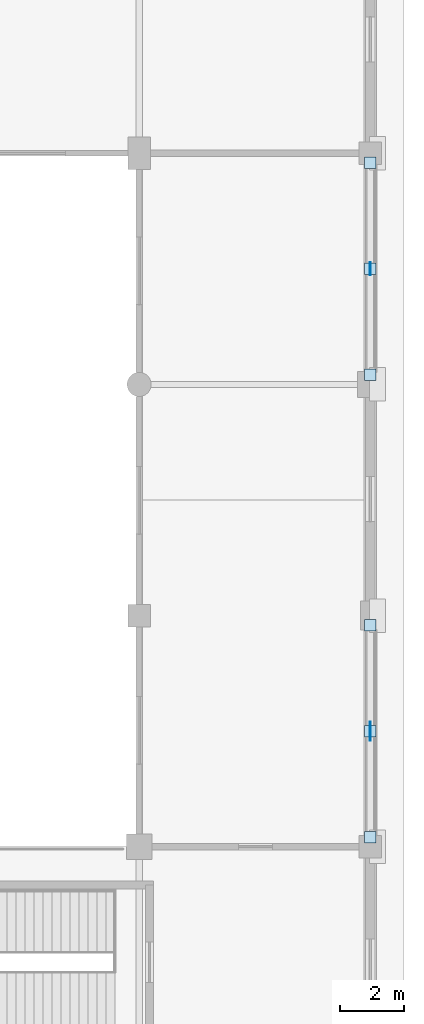
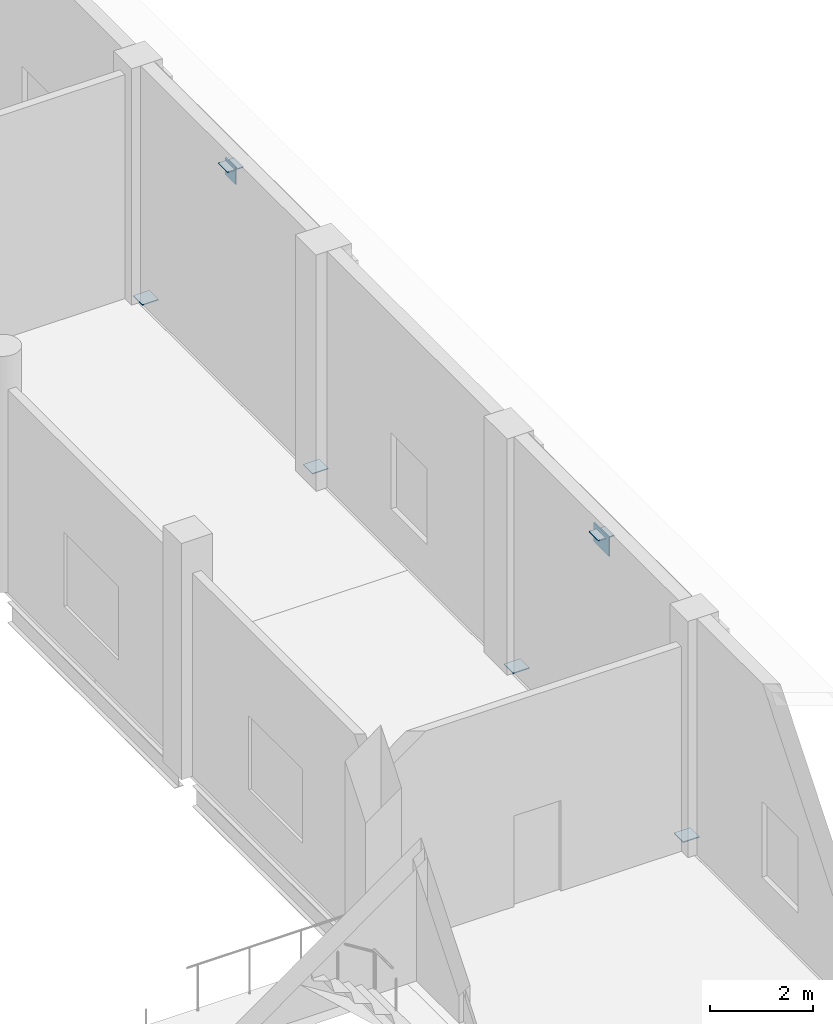
# One storey, part 49 of 80: 8 plates.
"""IFC4 building model written with IfcOpenShell, lengths in metres."""

from ifc_helpers import new_model, si_unit, direction, frame, origin, origin_2d, place, context, subcontext, project, spatial, rectangle, extrude, material, layer, layer_set, type_object, element, save


model = new_model("IFC4")

# Units and contexts
model_context = context("Model", 3, precision=1e-05, world=origin(), true_north=direction((0.0, 1.0)))
body_context = subcontext(model_context, "Body", "Model", "MODEL_VIEW")
ifc_project = project(units=[si_unit("LENGTHUNIT", "METRE"), si_unit("AREAUNIT", "SQUARE_METRE"), si_unit("VOLUMEUNIT", "CUBIC_METRE"), si_unit("PLANEANGLEUNIT", "RADIAN"), si_unit("MASSUNIT", "GRAM", prefix="KILO")], contexts=[model_context])

# Site, building, storey
site_placement = place(None, origin())
site = spatial("IfcSite", under=ifc_project, at=site_placement, CompositionType="ELEMENT")
building_placement = place(site_placement, origin())
building = spatial("IfcBuilding", under=site, at=building_placement, Name="Sardonyx Promenade Sports Hall", CompositionType="ELEMENT")
storey_placement = place(building_placement, frame((0.0, 0.0, 5.60009765625)))
storey = spatial("IfcBuildingStorey", under=building, at=storey_placement, Name="L01", CompositionType="ELEMENT", Elevation=5.60009765625)

# Plates
ifc_material_1 = material(Name="Steel S355JR", Category="steel")
ifc_layer_1 = layer(ifc_material_1, 0.02001953125)
ifc_layer_set_1 = layer_set([ifc_layer_1], Name="Plt_EndCap_EC1")
plate_type_1 = type_object("IfcPlateType", Name="Plt_EndCap_EC1", PredefinedType="USERDEFINED", material=ifc_layer_set_1)
for number, where, z_axis, x_axis, name in (
    (1, (165.60009765625, 57.89990234375, 0.010009765625), (0.0, 0.0, 1.0), (1.0, 0.0, 0.0), "Brace foot end-cap plate EC1 BF3 L01 L1"),
    (2, (165.60009765625, 64.5, 0.010009765625), (0.0, 0.0, 1.0), (1.0, 0.0, 0.0), "Brace foot end-cap plate EC1 BF3 L01 L2"),
    (3, (165.60009765625, 61.199951171875, 5.15478515625), (0.0, 0.0, 1.0), (1.0, 0.0, 0.0), "Brace apex cap plate EC1 BF3 L01"),
    (4, (165.60009765625, 72.300048828125, 0.010009765625), (0.0, 0.0, 1.0), (1.0, 0.0, 0.0), "Brace foot end-cap plate EC1 BF4 L01 L1"),
    (5, (165.60009765625, 78.89990234375, 0.010009765625), (0.0, 0.0, 1.0), (1.0, 0.0, 0.0), "Brace foot end-cap plate EC1 BF4 L01 L2"),
    (6, (165.60009765625, 75.60009765625, 5.15478515625), (0.0, 0.0, 1.0), (1.0, 0.0, 0.0), "Brace apex cap plate EC1 BF4 L01"),
):
    element("IfcPlate", number, at=place(storey_placement, frame(where, z_axis=z_axis, x_axis=x_axis)), inside=storey, type_object=plate_type_1, Name=name, ObjectType="END CAP PLATE", PredefinedType="USERDEFINED", context=body_context, shape_type="SweptSolid", body=[
        extrude(rectangle(XDim=0.360107421875, YDim=0.360107421875, at=origin_2d()), origin(), (0.0, 0.0, 1.0), 0.02001953125),
    ])
ifc_material_2 = material(Name="Steel S355JR", Category="steel")
ifc_layer_2 = layer(ifc_material_2, 0.02490234375)
ifc_layer_set_2 = layer_set([ifc_layer_2], Name="Plt_Gusset_KN1")
plate_type_2 = type_object("IfcPlateType", Name="Plt_Gusset_KN1", PredefinedType="USERDEFINED", material=ifc_layer_set_2)
plate_1_placement = place(storey_placement, frame((165.60009765625, 61.199951171875, 4.8046875), z_axis=(0.0, 0.0, 1.0), x_axis=(0.0, 1.0, 0.0)))
element("IfcPlate", 7, at=plate_1_placement, inside=storey, type_object=plate_type_2, Name="Braced-frame apex gusset KN1 BF3 L01", ObjectType="GUSSET PLATE", PredefinedType="USERDEFINED", context=body_context, shape_type="SweptSolid", body=[
    extrude(rectangle(XDim=0.60009765625, YDim=0.02490234375, at=origin_2d()), origin(), (0.0, 0.0, 1.0), 0.449951171875),
])
ifc_material_3 = material(Name="Steel S355JR", Category="steel")
ifc_layer_3 = layer(ifc_material_3, 0.030029296875)
ifc_layer_set_3 = layer_set([ifc_layer_3], Name="Plt_Gusset_KN4")
plate_type_3 = type_object("IfcPlateType", Name="Plt_Gusset_KN4", PredefinedType="USERDEFINED", material=ifc_layer_set_3)
plate_2_placement = place(storey_placement, frame((165.60009765625, 75.60009765625, 4.829833984375), z_axis=(0.0, 0.0, 1.0), x_axis=(0.0, 1.0, 0.0)))
element("IfcPlate", 8, at=plate_2_placement, inside=storey, type_object=plate_type_3, Name="Braced-frame apex gusset KN4 BF4 L01", ObjectType="GUSSET PLATE", PredefinedType="USERDEFINED", context=body_context, shape_type="SweptSolid", body=[
    extrude(rectangle(XDim=0.39990234375, YDim=0.030029296875, at=origin_2d()), origin(), (0.0, 0.0, 1.0), 0.39990234375),
])

save(model, "model.ifc")
